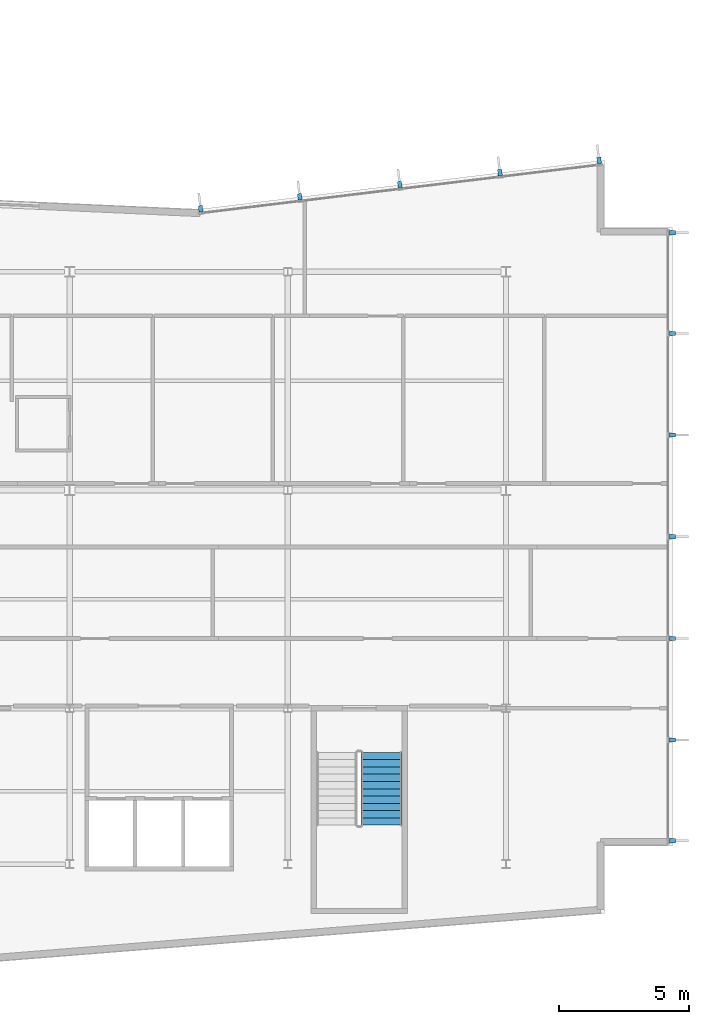
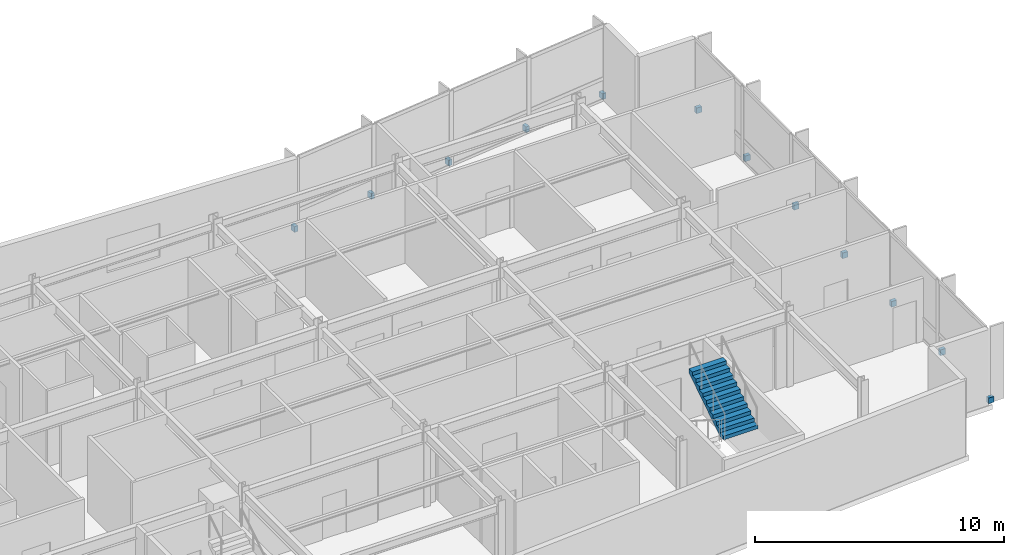
# One storey, part 14 of 19: 12 discrete accessories, 1 stair flight, 1 element without a shape of its own.
"""IFC4 building model written with IfcOpenShell, lengths in metres."""

from ifc_helpers import new_model, si_unit, direction, frame, origin, origin_2d, place, context, subcontext, project, spatial, polyline, rectangle, outline, extrude, material, layer, layer_set, type_object, element, aggregate, save


model = new_model("IFC4")

# Units and contexts
model_context = context("Model", 3, precision=1e-05, world=origin(), true_north=direction((0.0, 1.0)))
body_context = subcontext(model_context, "Body", "Model", "MODEL_VIEW")
ifc_project = project(units=[si_unit("LENGTHUNIT", "METRE"), si_unit("AREAUNIT", "SQUARE_METRE"), si_unit("VOLUMEUNIT", "CUBIC_METRE"), si_unit("PLANEANGLEUNIT", "RADIAN"), si_unit("MASSUNIT", "GRAM", prefix="KILO")], contexts=[model_context])

# Site, building, storey
site_placement = place(None, origin())
site = spatial("IfcSite", under=ifc_project, at=site_placement, CompositionType="ELEMENT")
building_placement = place(site_placement, origin())
building = spatial("IfcBuilding", under=site, at=building_placement, Name="Varnakote Quay Hospital", CompositionType="ELEMENT")
storey_placement = place(building_placement, frame((0.0, 0.0, 115.199951171875)))
storey = spatial("IfcBuildingStorey", under=building, at=storey_placement, Name="L28", CompositionType="ELEMENT", Elevation=115.199951171875)

# Stair, stair flight
ifc_material_1 = material(Name="Concrete N40 (f'c 40 MPa)", Category="concrete")
stair_type = type_object("IfcStairType", Name="STR-CORE-1580", PredefinedType="HALF_TURN_STAIR", material=ifc_material_1)
stair_placement = place(storey_placement, origin())
stair = element("IfcStair", 1, at=stair_placement, inside=storey, type_object=stair_type, Name="L28 Fire-Isolated Exit Stair ST-03", PredefinedType="HALF_TURN_STAIR")
ifc_material_2 = material(Name="Concrete N40 (f'c 40 MPa)", Category="concrete")
ifc_layer = layer(ifc_material_2, 0.159912109375)
ifc_layer_set = layer_set([ifc_layer], Name="Concrete N40 (f'c 40 MPa)")
stair_flight_type = type_object("IfcStairFlightType", Name="FLT-CORE-1580", PredefinedType="STRAIGHT", material=ifc_layer_set)
stair_flight_placement = place(storey_placement, frame((45.610107421875, 7.5, 1.97509765625), z_axis=(0.0, 0.0, 1.0), x_axis=(0.0, 1.0, 0.0)))
stair_flight = element("IfcStairFlight", 2, at=stair_flight_placement, type_object=stair_flight_type, Name="ST-03 flight 2", NumberOfRisers=11, NumberOfTreads=10, PredefinedType="STRAIGHT", RiserHeight=0.179545455, TreadLength=0.28, context=body_context, shape_type="SweptSolid", body=[
    extrude(outline(polyline([(0.0, 0.0), (0.0, 0.179443359375), (0.280029296875, 0.179443359375), (0.280029296875, 0.359130859375), (0.56005859375, 0.359130859375), (0.56005859375, 0.53857421875), (0.840087890625, 0.53857421875), (0.840087890625, 0.71826171875), (1.1201171875, 0.71826171875), (1.1201171875, 0.897705078125), (1.39990234375, 0.897705078125), (1.39990234375, 1.077392578125), (1.679931640625, 1.077392578125), (1.679931640625, 1.2568359375), (1.9599609375, 1.2568359375), (1.9599609375, 1.436279296875), (2.239990234375, 1.436279296875), (2.239990234375, 1.615966796875), (2.52001953125, 1.615966796875), (2.52001953125, 1.79541015625), (2.800048828125, 1.79541015625), (2.800048828125, 1.97509765625), (2.800048828125, 1.60546875), (0.296142578125, 0.0), (0.0, 0.0)])), frame((0.0, 0.7900390625, 0.0), z_axis=(0.0, -1.0, 0.0), x_axis=(1.0, 0.0, 0.0)), (0.0, 0.0, 1.0), 1.580078125),
])
aggregate(stair, [stair_flight])

# Discrete accessories
ifc_material_3 = material(Name="Anodised aluminium 6063-T6 Bronze", Category="aluminium")
discrete_accessory_type = type_object("IfcDiscreteAccessoryType", Name="ACC-FIN-BRACKET-180", PredefinedType="BRACKET", material=ifc_material_3)
for number, where, z_axis, x_axis, name in (
    (3, (56.81005859375, 6.8974609375, 0.0), (0.0, 0.0, 1.0), (0.0, 1.0, 0.0), "L28 Curtain Wall Fin Fixing Bracket"),
    (4, (56.81005859375, 10.773193359375, 0.0), (0.0, 0.0, 1.0), (0.0, 1.0, 0.0), "L28 Curtain Wall Fin Fixing Bracket"),
    (5, (56.81005859375, 14.686767578125, 0.0), (0.0, 0.0, 1.0), (0.0, 1.0, 0.0), "L28 Curtain Wall Fin Fixing Bracket"),
    (6, (56.81005859375, 18.60009765625, 0.0), (0.0, 0.0, 1.0), (0.0, 1.0, 0.0), "L28 Curtain Wall Fin Fixing Bracket"),
    (7, (56.81005859375, 22.51318359375, 0.0), (0.0, 0.0, 1.0), (0.0, 1.0, 0.0), "L28 Curtain Wall Fin Fixing Bracket"),
    (8, (56.81005859375, 26.4267578125, 0.0), (0.0, 0.0, 1.0), (0.0, 1.0, 0.0), "L28 Curtain Wall Fin Fixing Bracket"),
    (9, (56.81005859375, 30.302490234375, 0.0), (0.0, 0.0, 1.0), (0.0, 1.0, 0.0), "L28 Curtain Wall Fin Fixing Bracket"),
    (10, (53.982421875, 33.083740234375, 0.0), (0.0, 0.0, 1.0), (-0.992736358975, -0.120310105847, 0.0), "L28 Curtain Wall Fin Fixing Bracket"),
    (11, (50.1669921875, 32.62109375, 0.0), (0.0, 0.0, 1.0), (-0.992736358975, -0.120310105847, 0.0), "L28 Curtain Wall Fin Fixing Bracket"),
    (12, (46.314697265625, 32.154296875, 0.0), (0.0, 0.0, 1.0), (-0.992736358975, -0.120310105847, 0.0), "L28 Curtain Wall Fin Fixing Bracket"),
    (13, (42.462158203125, 31.687255859375, 0.0), (0.0, 0.0, 1.0), (-0.992736358975, -0.120310105847, 0.0), "L28 Curtain Wall Fin Fixing Bracket"),
    (14, (38.64697265625, 31.224853515625, 0.0), (0.0, 0.0, 1.0), (-0.992736358975, -0.120310105847, 0.0), "L28 Curtain Wall Fin Fixing Bracket"),
):
    element("IfcDiscreteAccessory", number, at=place(storey_placement, frame(where, z_axis=z_axis, x_axis=x_axis)), inside=storey, type_object=discrete_accessory_type, Name=name, PredefinedType="BRACKET", context=body_context, shape_type="SweptSolid", body=[
        extrude(rectangle(XDim=0.159912109375, YDim=0.239990234375, at=origin_2d()), origin(), (0.0, 0.0, 1.0), 0.280029296875),
    ])

save(model, "model.ifc")
